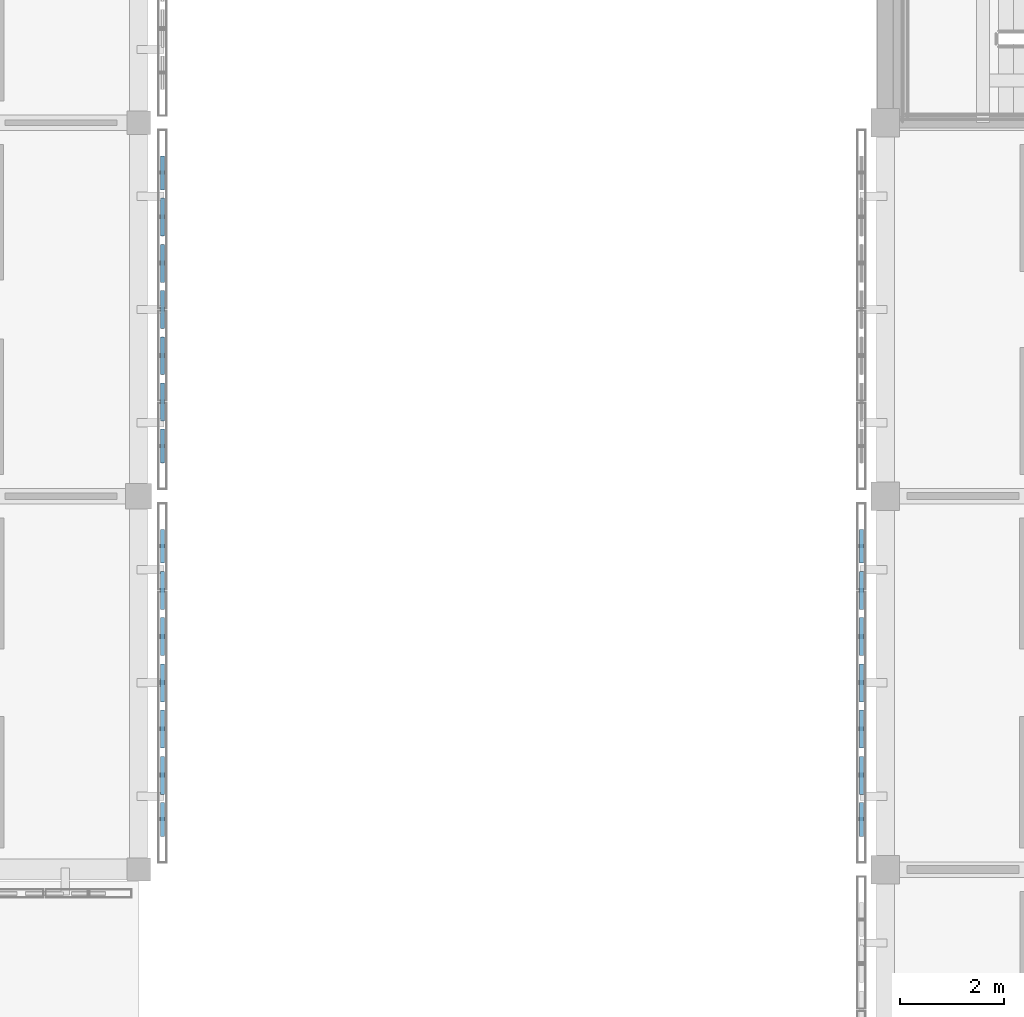
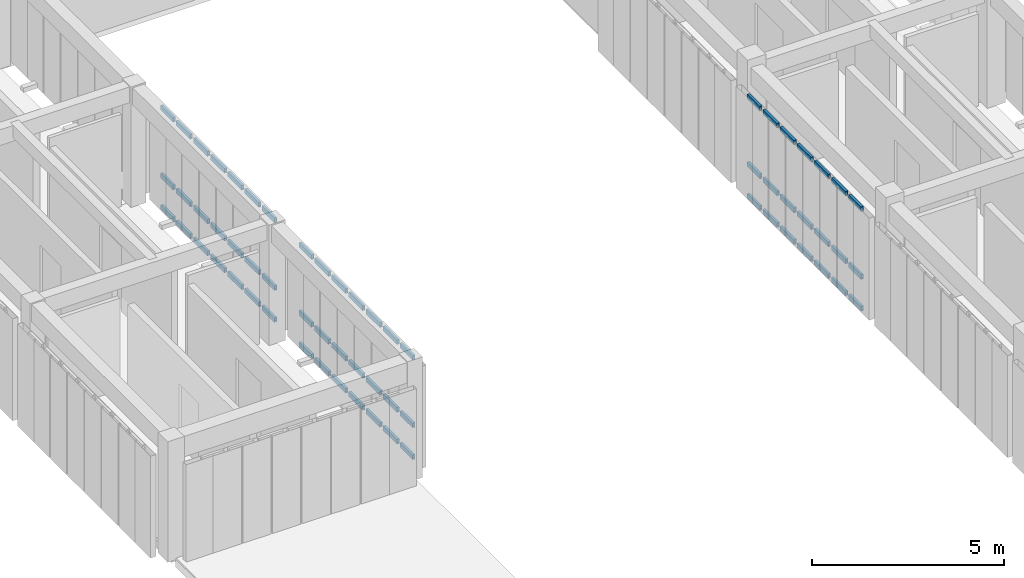
# One storey, part 30 of 67: 63 members, 3 elements without a shape of their own.
"""IFC4 building model written with IfcOpenShell, lengths in metres."""

import ifcopenshell
import ifcopenshell.guid

model = None  # the IFC model being written
_history = None  # IfcOwnerHistory: only IFC2X3 demands one
_inside = {}  # id of a spatial element -> (the spatial element, [elements in it])
_under = {}  # id of a project, library or spatial element -> (it, [spatial elements below it])
_declared = {}  # id of a project -> (the project, [libraries it declares])
_typed = {}  # id of a type object -> (the type object, [elements of that type])
_made_of = {}  # id of a material, layer set ... -> (it, [elements and type objects made of it])


def new_model(schema):
    """Start an empty IFC model of exactly this schema.

    Asked for "IFC4X3", IfcOpenShell would pick the latest addendum, in which some entities
    have other attributes; the version numbers below select the first issue.
    IFC2X3 requires an IfcOwnerHistory on every rooted entity: one is made here for all.
    """
    global model, _history
    if schema == "IFC4X3":
        model = ifcopenshell.file(schema_version=(4, 3, 0, 0))
    else:
        model = ifcopenshell.file(schema=schema)
    _inside.clear()
    _under.clear()
    _declared.clear()
    _typed.clear()
    _made_of.clear()
    _history = None
    if model.schema == "IFC2X3":
        org = make("IfcOrganization", Name="unknown")
        user = make(
            "IfcPersonAndOrganization",
            ThePerson=make("IfcPerson", FamilyName="unknown"),
            TheOrganization=org,
        )
        app = make(
            "IfcApplication",
            ApplicationDeveloper=org,
            Version="unknown",
            ApplicationFullName="unknown",
            ApplicationIdentifier="unknown",
        )
        _history = make(
            "IfcOwnerHistory",
            OwningUser=user,
            OwningApplication=app,
            ChangeAction="ADDED",
            CreationDate=0,
        )
    return model


def make(cls, **values):
    """One entity of the class cls with the attributes given. An attribute that is None is left unset."""
    return model.create_entity(
        cls, **{name: value for name, value in values.items() if value is not None}
    )


def rooted(cls, **values):
    """An entity with a GlobalId (a new one), such as an element, a storey or a relation."""
    return make(cls, GlobalId=ifcopenshell.guid.new(), OwnerHistory=_history, **values)


def si_unit(unit_type, name, prefix=None):
    """IfcSIUnit, for example si_unit("LENGTHUNIT", "METRE", prefix="MILLI")."""
    return make("IfcSIUnit", UnitType=unit_type, Prefix=prefix, Name=name)


def assignment(units):
    """IfcUnitAssignment: the units of a project."""
    return None if units is None else make("IfcUnitAssignment", Units=units)


def point(xyz):
    """IfcCartesianPoint."""
    return None if xyz is None else make("IfcCartesianPoint", Coordinates=xyz)


def direction(xyz):
    """IfcDirection."""
    return None if xyz is None else make("IfcDirection", DirectionRatios=xyz)


def frame(location, z_axis=None, x_axis=None):
    """IfcAxis2Placement3D, a coordinate frame: its origin and axes. An axis left out is left unset."""
    return make(
        "IfcAxis2Placement3D",
        Location=point(location),
        Axis=direction(z_axis),
        RefDirection=direction(x_axis),
    )


def frame_2d(location, x_axis=None):
    """IfcAxis2Placement2D, a coordinate frame in the plane: its origin and x axis."""
    return make(
        "IfcAxis2Placement2D", Location=point(location), RefDirection=direction(x_axis)
    )


def origin():
    """The frame at (0, 0, 0) with its axes left unset."""
    return frame((0.0, 0.0, 0.0))


def origin_2d():
    """The frame at (0, 0) in the plane with its x axis left unset."""
    return frame_2d((0.0, 0.0))


def place(relative_to, where):
    """IfcLocalPlacement: puts the frame where relative to a parent placement (None: the world)."""
    return make(
        "IfcLocalPlacement", PlacementRelTo=relative_to, RelativePlacement=where
    )


def context(
    kind, dimensions, precision=None, world=None, true_north=None, identifier=None
):
    """IfcGeometricRepresentationContext, for example the 3D "Model" context."""
    return make(
        "IfcGeometricRepresentationContext",
        ContextIdentifier=identifier,
        ContextType=kind,
        CoordinateSpaceDimension=dimensions,
        Precision=precision,
        WorldCoordinateSystem=world,
        TrueNorth=true_north,
    )


def subcontext(parent, identifier, kind, view, scale=None):
    """IfcGeometricRepresentationSubContext, for example "Body" below "Model"."""
    return make(
        "IfcGeometricRepresentationSubContext",
        ContextIdentifier=identifier,
        ContextType=kind,
        ParentContext=parent,
        TargetScale=scale,
        TargetView=view,
    )


def project(units=None, contexts=None):
    """IfcProject with its units and contexts."""
    return rooted(
        "IfcProject",
        Name="project",
        RepresentationContexts=contexts,
        UnitsInContext=assignment(units),
    )


def spatial(cls, under=None, at=None, **own):
    """A site, building, storey or space (cls), placed at a placement, below another one or the project."""
    s = rooted(cls, ObjectPlacement=at, **own)
    if under is not None:
        _under.setdefault(under.id(), (under, []))[1].append(s)
    return s


def profile(cls, at=None, kind="AREA", **sizes):
    """A parametric profile (cls). Its sizes go by their IFC names, for example OverallWidth=200.0."""
    return make(cls, ProfileType=kind, Position=at, **sizes)


def hollow_rectangle(**sizes):
    """IfcRectangleHollowProfileDef."""
    return profile("IfcRectangleHollowProfileDef", **sizes)


def extrude(swept, where, along, depth):
    """IfcExtrudedAreaSolid: the profile swept, set in the frame where, extruded along a direction by depth."""
    return make(
        "IfcExtrudedAreaSolid",
        SweptArea=swept,
        Position=where,
        ExtrudedDirection=direction(along),
        Depth=depth,
    )


def shape(context_of_items, identifier, shape_type, items):
    """IfcShapeRepresentation: the items that make up one representation, for example the "Body"."""
    return make(
        "IfcShapeRepresentation",
        ContextOfItems=context_of_items,
        RepresentationIdentifier=identifier,
        RepresentationType=shape_type,
        Items=items,
    )


def material(Name=None, Category=None):
    """IfcMaterial."""
    return make("IfcMaterial", Name=Name, Category=Category)


def material_profile(
    of_material, cross_section, Name=None, Category=None, Priority=None
):
    """IfcMaterialProfile: a cross section and its material."""
    return make(
        "IfcMaterialProfile",
        Name=Name,
        Material=of_material,
        Profile=cross_section,
        Priority=Priority,
        Category=Category,
    )


def profile_set(profiles, Name=None, composite=None):
    """IfcMaterialProfileSet."""
    return make(
        "IfcMaterialProfileSet",
        Name=Name,
        MaterialProfiles=profiles,
        CompositeProfile=composite,
    )


def made_of(thing, what):
    """Note that an element or type object is made of a material, layer set ...; save() writes the relation."""
    if what is not None:
        _made_of.setdefault(what.id(), (what, []))[1].append(thing)
    return thing


def type_object(cls, material=None, **own):
    """A type object (cls), such as IfcWallType, which elements share."""
    return made_of(rooted(cls, **own), material)


def element(
    cls,
    number,
    at=None,
    inside=None,
    cuts=None,
    type_object=None,
    material=None,
    context=None,
    identifier="Body",
    shape_type=None,
    held_by="IfcProductDefinitionShape",
    body=None,
    shapes=None,
    **own,
):
    """One element of the class cls, such as IfcWall. Its Tag is "e" and its number.

    at: its placement. inside: the storey or other place that contains it. cuts: it is an
    opening in that element (IfcRelVoidsElement). A single representation is given by context,
    identifier, shape_type and body (its items); several are given by shapes. held_by: the class
    of the entity that holds the representations. save() writes the other relations.
    """
    e = rooted(cls, Tag="e%d" % number, ObjectPlacement=at, **own)
    if body is not None:
        shapes = [shape(context, identifier, shape_type, body)]
    if shapes is not None:
        e.Representation = make(held_by, Representations=shapes)
    if inside is not None:
        _inside.setdefault(inside.id(), (inside, []))[1].append(e)
    if cuts is not None:
        rooted(
            "IfcRelVoidsElement", RelatingBuildingElement=cuts, RelatedOpeningElement=e
        )
    if type_object is not None:
        _typed.setdefault(type_object.id(), (type_object, []))[1].append(e)
    return made_of(e, material)


def aggregate(whole, parts):
    """IfcRelAggregates: a whole, such as a stair, and the parts it consists of."""
    return rooted("IfcRelAggregates", RelatingObject=whole, RelatedObjects=parts)


def save(model, path):
    """Write the relations noted so far, then the file.

    IfcRelAggregates (storeys below a building ...), IfcRelContainedInSpatialStructure (elements
    in a storey), IfcRelDefinesByType, IfcRelAssociatesMaterial and IfcRelDeclares: one each for
    every whole, place, type object, material and project.
    """
    for whole, parts in _under.values():
        aggregate(whole, parts)
    for where, things in _inside.values():
        rooted(
            "IfcRelContainedInSpatialStructure",
            RelatedElements=things,
            RelatingStructure=where,
        )
    for kind, things in _typed.values():
        rooted("IfcRelDefinesByType", RelatedObjects=things, RelatingType=kind)
    for what, things in _made_of.values():
        rooted("IfcRelAssociatesMaterial", RelatedObjects=things, RelatingMaterial=what)
    for by, libraries in _declared.values():
        rooted("IfcRelDeclares", RelatingContext=by, RelatedDefinitions=libraries)
    model.write(path)


model = new_model("IFC4")

# Units and contexts
model_context = context("Model", 3, precision=1e-05, world=origin(), true_north=direction((0.0, 1.0)))
body_context = subcontext(model_context, "Body", "Model", "MODEL_VIEW")
ifc_project = project(units=[si_unit("LENGTHUNIT", "METRE"), si_unit("AREAUNIT", "SQUARE_METRE"), si_unit("VOLUMEUNIT", "CUBIC_METRE"), si_unit("PLANEANGLEUNIT", "RADIAN"), si_unit("MASSUNIT", "GRAM", prefix="KILO")], contexts=[model_context])

# Site, building, storey
site_placement = place(None, origin())
site = spatial("IfcSite", under=ifc_project, at=site_placement, CompositionType="ELEMENT")
building_placement = place(site_placement, origin())
building = spatial("IfcBuilding", under=site, at=building_placement, Name="Aldebral Square Health Centre", CompositionType="ELEMENT")
storey_placement = place(building_placement, frame((0.0, 0.0, 13.5)))
storey = spatial("IfcBuildingStorey", under=building, at=storey_placement, Name="L03", CompositionType="ELEMENT", Elevation=13.5)

# Curtain wall, members
ifc_material_1 = material(Name="Aluminium and low-E solar glass", Category="aluminium")
curtain_wall_type = type_object("IfcCurtainWallType", Name="CW-FIN-SYS", PredefinedType="USERDEFINED", material=ifc_material_1)
curtain_wall_1_placement = place(storey_placement, origin())
curtain_wall_1 = element("IfcCurtainWall", 1, at=curtain_wall_1_placement, inside=storey, type_object=curtain_wall_type, Name="L03 V5 finned curtain wall L03-V5-19-11-E", ObjectType="SOLAR_CURTAIN_WALL", PredefinedType="USERDEFINED")
ifc_material_2 = material(Name="Anodised aluminium transom", Category="aluminium")
ifc_material_profile = material_profile(ifc_material_2, hollow_rectangle(XDim=0.074951171875, YDim=0.14990234375, WallThickness=0.00390625, at=origin_2d()), Name="CWT 75x150x4")
ifc_profile_set = profile_set([ifc_material_profile], Name="Anodised aluminium transom")
member_type = type_object("IfcMemberType", Name="CWT-STD", PredefinedType="USERDEFINED", material=ifc_profile_set)
member_1_placement = place(storey_placement, frame((144.4599609375, 79.840087890625, 0.03759765625), z_axis=(0.0, 1.0, 0.0), x_axis=(-1.0, 0.0, 0.0)))
member_1 = element("IfcMember", 2, at=member_1_placement, type_object=member_type, Name="CW1 transom 1.1", ObjectType="TRANSOM", PredefinedType="USERDEFINED", context=body_context, shape_type="SweptSolid", body=[
    extrude(hollow_rectangle(XDim=0.074951171875, YDim=0.14990234375, WallThickness=0.00390625, at=origin_2d()), origin(), (0.0, 0.0, 1.0), 0.6513671875),
])
member_2_placement = place(storey_placement, frame((144.4599609375, 79.840087890625, 1.050048828125), z_axis=(0.0, 1.0, 0.0), x_axis=(-1.0, 0.0, 0.0)))
member_2 = element("IfcMember", 3, at=member_2_placement, type_object=member_type, Name="CW1 transom 1.2", ObjectType="TRANSOM", PredefinedType="USERDEFINED", context=body_context, shape_type="SweptSolid", body=[
    extrude(hollow_rectangle(XDim=0.074951171875, YDim=0.14990234375, WallThickness=0.00390625, at=origin_2d()), origin(), (0.0, 0.0, 1.0), 0.6513671875),
])
member_3_placement = place(storey_placement, frame((144.4599609375, 79.840087890625, 3.202392578125), z_axis=(0.0, 1.0, 0.0), x_axis=(-1.0, 0.0, 0.0)))
member_3 = element("IfcMember", 4, at=member_3_placement, type_object=member_type, Name="CW1 transom 1.3", ObjectType="TRANSOM", PredefinedType="USERDEFINED", context=body_context, shape_type="SweptSolid", body=[
    extrude(hollow_rectangle(XDim=0.074951171875, YDim=0.14990234375, WallThickness=0.00390625, at=origin_2d()), origin(), (0.0, 0.0, 1.0), 0.6513671875),
])
member_4_placement = place(storey_placement, frame((144.4599609375, 80.6513671875, 0.03759765625), z_axis=(0.0, 1.0, 0.0), x_axis=(-1.0, 0.0, 0.0)))
member_4 = element("IfcMember", 5, at=member_4_placement, type_object=member_type, Name="CW1 transom 2.1", ObjectType="TRANSOM", PredefinedType="USERDEFINED", context=body_context, shape_type="SweptSolid", body=[
    extrude(hollow_rectangle(XDim=0.074951171875, YDim=0.14990234375, WallThickness=0.00390625, at=origin_2d()), origin(), (0.0, 0.0, 1.0), 0.7314453125),
])
member_5_placement = place(storey_placement, frame((144.4599609375, 80.6513671875, 1.050048828125), z_axis=(0.0, 1.0, 0.0), x_axis=(-1.0, 0.0, 0.0)))
member_5 = element("IfcMember", 6, at=member_5_placement, type_object=member_type, Name="CW1 transom 2.2", ObjectType="TRANSOM", PredefinedType="USERDEFINED", context=body_context, shape_type="SweptSolid", body=[
    extrude(hollow_rectangle(XDim=0.074951171875, YDim=0.14990234375, WallThickness=0.00390625, at=origin_2d()), origin(), (0.0, 0.0, 1.0), 0.7314453125),
])
member_6_placement = place(storey_placement, frame((144.4599609375, 80.6513671875, 3.202392578125), z_axis=(0.0, 1.0, 0.0), x_axis=(-1.0, 0.0, 0.0)))
member_6 = element("IfcMember", 7, at=member_6_placement, type_object=member_type, Name="CW1 transom 2.3", ObjectType="TRANSOM", PredefinedType="USERDEFINED", context=body_context, shape_type="SweptSolid", body=[
    extrude(hollow_rectangle(XDim=0.074951171875, YDim=0.14990234375, WallThickness=0.00390625, at=origin_2d()), origin(), (0.0, 0.0, 1.0), 0.7314453125),
])
member_7_placement = place(storey_placement, frame((144.4599609375, 81.54296875, 0.03759765625), z_axis=(0.0, 1.0, 0.0), x_axis=(-1.0, 0.0, 0.0)))
member_7 = element("IfcMember", 8, at=member_7_placement, type_object=member_type, Name="CW1 transom 3.1", ObjectType="TRANSOM", PredefinedType="USERDEFINED", context=body_context, shape_type="SweptSolid", body=[
    extrude(hollow_rectangle(XDim=0.074951171875, YDim=0.14990234375, WallThickness=0.00390625, at=origin_2d()), origin(), (0.0, 0.0, 1.0), 0.731201171875),
])
member_8_placement = place(storey_placement, frame((144.4599609375, 81.54296875, 1.050048828125), z_axis=(0.0, 1.0, 0.0), x_axis=(-1.0, 0.0, 0.0)))
member_8 = element("IfcMember", 9, at=member_8_placement, type_object=member_type, Name="CW1 transom 3.2", ObjectType="TRANSOM", PredefinedType="USERDEFINED", context=body_context, shape_type="SweptSolid", body=[
    extrude(hollow_rectangle(XDim=0.074951171875, YDim=0.14990234375, WallThickness=0.00390625, at=origin_2d()), origin(), (0.0, 0.0, 1.0), 0.731201171875),
])
member_9_placement = place(storey_placement, frame((144.4599609375, 81.54296875, 3.202392578125), z_axis=(0.0, 1.0, 0.0), x_axis=(-1.0, 0.0, 0.0)))
member_9 = element("IfcMember", 10, at=member_9_placement, type_object=member_type, Name="CW1 transom 3.3", ObjectType="TRANSOM", PredefinedType="USERDEFINED", context=body_context, shape_type="SweptSolid", body=[
    extrude(hollow_rectangle(XDim=0.074951171875, YDim=0.14990234375, WallThickness=0.00390625, at=origin_2d()), origin(), (0.0, 0.0, 1.0), 0.731201171875),
])
member_10_placement = place(storey_placement, frame((144.4599609375, 82.434326171875, 0.03759765625), z_axis=(0.0, 1.0, 0.0), x_axis=(-1.0, 0.0, 0.0)))
member_10 = element("IfcMember", 11, at=member_10_placement, type_object=member_type, Name="CW1 transom 4.1", ObjectType="TRANSOM", PredefinedType="USERDEFINED", context=body_context, shape_type="SweptSolid", body=[
    extrude(hollow_rectangle(XDim=0.074951171875, YDim=0.14990234375, WallThickness=0.00390625, at=origin_2d()), origin(), (0.0, 0.0, 1.0), 0.7314453125),
])
member_11_placement = place(storey_placement, frame((144.4599609375, 82.434326171875, 1.050048828125), z_axis=(0.0, 1.0, 0.0), x_axis=(-1.0, 0.0, 0.0)))
member_11 = element("IfcMember", 12, at=member_11_placement, type_object=member_type, Name="CW1 transom 4.2", ObjectType="TRANSOM", PredefinedType="USERDEFINED", context=body_context, shape_type="SweptSolid", body=[
    extrude(hollow_rectangle(XDim=0.074951171875, YDim=0.14990234375, WallThickness=0.00390625, at=origin_2d()), origin(), (0.0, 0.0, 1.0), 0.7314453125),
])
member_12_placement = place(storey_placement, frame((144.4599609375, 82.434326171875, 3.202392578125), z_axis=(0.0, 1.0, 0.0), x_axis=(-1.0, 0.0, 0.0)))
member_12 = element("IfcMember", 13, at=member_12_placement, type_object=member_type, Name="CW1 transom 4.3", ObjectType="TRANSOM", PredefinedType="USERDEFINED", context=body_context, shape_type="SweptSolid", body=[
    extrude(hollow_rectangle(XDim=0.074951171875, YDim=0.14990234375, WallThickness=0.00390625, at=origin_2d()), origin(), (0.0, 0.0, 1.0), 0.7314453125),
])
member_13_placement = place(storey_placement, frame((144.4599609375, 83.32568359375, 0.03759765625), z_axis=(0.0, 1.0, 0.0), x_axis=(-1.0, 0.0, 0.0)))
member_13 = element("IfcMember", 14, at=member_13_placement, type_object=member_type, Name="CW1 transom 5.1", ObjectType="TRANSOM", PredefinedType="USERDEFINED", context=body_context, shape_type="SweptSolid", body=[
    extrude(hollow_rectangle(XDim=0.074951171875, YDim=0.14990234375, WallThickness=0.00390625, at=origin_2d()), origin(), (0.0, 0.0, 1.0), 0.7314453125),
])
member_14_placement = place(storey_placement, frame((144.4599609375, 83.32568359375, 1.050048828125), z_axis=(0.0, 1.0, 0.0), x_axis=(-1.0, 0.0, 0.0)))
member_14 = element("IfcMember", 15, at=member_14_placement, type_object=member_type, Name="CW1 transom 5.2", ObjectType="TRANSOM", PredefinedType="USERDEFINED", context=body_context, shape_type="SweptSolid", body=[
    extrude(hollow_rectangle(XDim=0.074951171875, YDim=0.14990234375, WallThickness=0.00390625, at=origin_2d()), origin(), (0.0, 0.0, 1.0), 0.7314453125),
])
member_15_placement = place(storey_placement, frame((144.4599609375, 83.32568359375, 3.202392578125), z_axis=(0.0, 1.0, 0.0), x_axis=(-1.0, 0.0, 0.0)))
member_15 = element("IfcMember", 16, at=member_15_placement, type_object=member_type, Name="CW1 transom 5.3", ObjectType="TRANSOM", PredefinedType="USERDEFINED", context=body_context, shape_type="SweptSolid", body=[
    extrude(hollow_rectangle(XDim=0.074951171875, YDim=0.14990234375, WallThickness=0.00390625, at=origin_2d()), origin(), (0.0, 0.0, 1.0), 0.7314453125),
])
member_16_placement = place(storey_placement, frame((144.4599609375, 84.217041015625, 0.03759765625), z_axis=(0.0, 1.0, 0.0), x_axis=(-1.0, 0.0, 0.0)))
member_16 = element("IfcMember", 17, at=member_16_placement, type_object=member_type, Name="CW1 transom 6.1", ObjectType="TRANSOM", PredefinedType="USERDEFINED", context=body_context, shape_type="SweptSolid", body=[
    extrude(hollow_rectangle(XDim=0.074951171875, YDim=0.14990234375, WallThickness=0.00390625, at=origin_2d()), origin(), (0.0, 0.0, 1.0), 0.7314453125),
])
member_17_placement = place(storey_placement, frame((144.4599609375, 84.217041015625, 1.050048828125), z_axis=(0.0, 1.0, 0.0), x_axis=(-1.0, 0.0, 0.0)))
member_17 = element("IfcMember", 18, at=member_17_placement, type_object=member_type, Name="CW1 transom 6.2", ObjectType="TRANSOM", PredefinedType="USERDEFINED", context=body_context, shape_type="SweptSolid", body=[
    extrude(hollow_rectangle(XDim=0.074951171875, YDim=0.14990234375, WallThickness=0.00390625, at=origin_2d()), origin(), (0.0, 0.0, 1.0), 0.7314453125),
])
member_18_placement = place(storey_placement, frame((144.4599609375, 84.217041015625, 3.202392578125), z_axis=(0.0, 1.0, 0.0), x_axis=(-1.0, 0.0, 0.0)))
member_18 = element("IfcMember", 19, at=member_18_placement, type_object=member_type, Name="CW1 transom 6.3", ObjectType="TRANSOM", PredefinedType="USERDEFINED", context=body_context, shape_type="SweptSolid", body=[
    extrude(hollow_rectangle(XDim=0.074951171875, YDim=0.14990234375, WallThickness=0.00390625, at=origin_2d()), origin(), (0.0, 0.0, 1.0), 0.7314453125),
])
member_19_placement = place(storey_placement, frame((144.4599609375, 85.108642578125, 0.03759765625), z_axis=(0.0, 1.0, 0.0), x_axis=(-1.0, 0.0, 0.0)))
member_19 = element("IfcMember", 20, at=member_19_placement, type_object=member_type, Name="CW1 transom 7.1", ObjectType="TRANSOM", PredefinedType="USERDEFINED", context=body_context, shape_type="SweptSolid", body=[
    extrude(hollow_rectangle(XDim=0.074951171875, YDim=0.14990234375, WallThickness=0.00390625, at=origin_2d()), origin(), (0.0, 0.0, 1.0), 0.6513671875),
])
member_20_placement = place(storey_placement, frame((144.4599609375, 85.108642578125, 1.050048828125), z_axis=(0.0, 1.0, 0.0), x_axis=(-1.0, 0.0, 0.0)))
member_20 = element("IfcMember", 21, at=member_20_placement, type_object=member_type, Name="CW1 transom 7.2", ObjectType="TRANSOM", PredefinedType="USERDEFINED", context=body_context, shape_type="SweptSolid", body=[
    extrude(hollow_rectangle(XDim=0.074951171875, YDim=0.14990234375, WallThickness=0.00390625, at=origin_2d()), origin(), (0.0, 0.0, 1.0), 0.6513671875),
])
member_21_placement = place(storey_placement, frame((144.4599609375, 85.108642578125, 3.202392578125), z_axis=(0.0, 1.0, 0.0), x_axis=(-1.0, 0.0, 0.0)))
member_21 = element("IfcMember", 22, at=member_21_placement, type_object=member_type, Name="CW1 transom 7.3", ObjectType="TRANSOM", PredefinedType="USERDEFINED", context=body_context, shape_type="SweptSolid", body=[
    extrude(hollow_rectangle(XDim=0.074951171875, YDim=0.14990234375, WallThickness=0.00390625, at=origin_2d()), origin(), (0.0, 0.0, 1.0), 0.6513671875),
])
aggregate(curtain_wall_1, [member_1, member_2, member_3, member_4, member_5, member_6, member_7, member_8, member_9, member_10, member_11, member_12, member_13, member_14, member_15, member_16, member_17, member_18, member_19, member_20, member_21])

curtain_wall_2_placement = place(storey_placement, origin())
curtain_wall_2 = element("IfcCurtainWall", 23, at=curtain_wall_2_placement, inside=storey, type_object=curtain_wall_type, Name="L03 V5 finned curtain wall L03-V5-19-12-E", ObjectType="SOLAR_CURTAIN_WALL", PredefinedType="USERDEFINED")
member_22_placement = place(storey_placement, frame((144.4599609375, 87.0400390625, 0.03759765625), z_axis=(0.0, 1.0, 0.0), x_axis=(-1.0, 0.0, 0.0)))
member_22 = element("IfcMember", 24, at=member_22_placement, type_object=member_type, Name="CW1 transom 1.1", ObjectType="TRANSOM", PredefinedType="USERDEFINED", context=body_context, shape_type="SweptSolid", body=[
    extrude(hollow_rectangle(XDim=0.074951171875, YDim=0.14990234375, WallThickness=0.00390625, at=origin_2d()), origin(), (0.0, 0.0, 1.0), 0.6513671875),
])
member_23_placement = place(storey_placement, frame((144.4599609375, 87.0400390625, 1.050048828125), z_axis=(0.0, 1.0, 0.0), x_axis=(-1.0, 0.0, 0.0)))
member_23 = element("IfcMember", 25, at=member_23_placement, type_object=member_type, Name="CW1 transom 1.2", ObjectType="TRANSOM", PredefinedType="USERDEFINED", context=body_context, shape_type="SweptSolid", body=[
    extrude(hollow_rectangle(XDim=0.074951171875, YDim=0.14990234375, WallThickness=0.00390625, at=origin_2d()), origin(), (0.0, 0.0, 1.0), 0.6513671875),
])
member_24_placement = place(storey_placement, frame((144.4599609375, 87.0400390625, 3.202392578125), z_axis=(0.0, 1.0, 0.0), x_axis=(-1.0, 0.0, 0.0)))
member_24 = element("IfcMember", 26, at=member_24_placement, type_object=member_type, Name="CW1 transom 1.3", ObjectType="TRANSOM", PredefinedType="USERDEFINED", context=body_context, shape_type="SweptSolid", body=[
    extrude(hollow_rectangle(XDim=0.074951171875, YDim=0.14990234375, WallThickness=0.00390625, at=origin_2d()), origin(), (0.0, 0.0, 1.0), 0.6513671875),
])
member_25_placement = place(storey_placement, frame((144.4599609375, 87.851318359375, 0.03759765625), z_axis=(0.0, 1.0, 0.0), x_axis=(-1.0, 0.0, 0.0)))
member_25 = element("IfcMember", 27, at=member_25_placement, type_object=member_type, Name="CW1 transom 2.1", ObjectType="TRANSOM", PredefinedType="USERDEFINED", context=body_context, shape_type="SweptSolid", body=[
    extrude(hollow_rectangle(XDim=0.074951171875, YDim=0.14990234375, WallThickness=0.00390625, at=origin_2d()), origin(), (0.0, 0.0, 1.0), 0.7314453125),
])
member_26_placement = place(storey_placement, frame((144.4599609375, 87.851318359375, 1.050048828125), z_axis=(0.0, 1.0, 0.0), x_axis=(-1.0, 0.0, 0.0)))
member_26 = element("IfcMember", 28, at=member_26_placement, type_object=member_type, Name="CW1 transom 2.2", ObjectType="TRANSOM", PredefinedType="USERDEFINED", context=body_context, shape_type="SweptSolid", body=[
    extrude(hollow_rectangle(XDim=0.074951171875, YDim=0.14990234375, WallThickness=0.00390625, at=origin_2d()), origin(), (0.0, 0.0, 1.0), 0.7314453125),
])
member_27_placement = place(storey_placement, frame((144.4599609375, 87.851318359375, 3.202392578125), z_axis=(0.0, 1.0, 0.0), x_axis=(-1.0, 0.0, 0.0)))
member_27 = element("IfcMember", 29, at=member_27_placement, type_object=member_type, Name="CW1 transom 2.3", ObjectType="TRANSOM", PredefinedType="USERDEFINED", context=body_context, shape_type="SweptSolid", body=[
    extrude(hollow_rectangle(XDim=0.074951171875, YDim=0.14990234375, WallThickness=0.00390625, at=origin_2d()), origin(), (0.0, 0.0, 1.0), 0.7314453125),
])
member_28_placement = place(storey_placement, frame((144.4599609375, 88.742919921875, 0.03759765625), z_axis=(0.0, 1.0, 0.0), x_axis=(-1.0, 0.0, 0.0)))
member_28 = element("IfcMember", 30, at=member_28_placement, type_object=member_type, Name="CW1 transom 3.1", ObjectType="TRANSOM", PredefinedType="USERDEFINED", context=body_context, shape_type="SweptSolid", body=[
    extrude(hollow_rectangle(XDim=0.074951171875, YDim=0.14990234375, WallThickness=0.00390625, at=origin_2d()), origin(), (0.0, 0.0, 1.0), 0.7314453125),
])
member_29_placement = place(storey_placement, frame((144.4599609375, 88.742919921875, 1.050048828125), z_axis=(0.0, 1.0, 0.0), x_axis=(-1.0, 0.0, 0.0)))
member_29 = element("IfcMember", 31, at=member_29_placement, type_object=member_type, Name="CW1 transom 3.2", ObjectType="TRANSOM", PredefinedType="USERDEFINED", context=body_context, shape_type="SweptSolid", body=[
    extrude(hollow_rectangle(XDim=0.074951171875, YDim=0.14990234375, WallThickness=0.00390625, at=origin_2d()), origin(), (0.0, 0.0, 1.0), 0.7314453125),
])
member_30_placement = place(storey_placement, frame((144.4599609375, 88.742919921875, 3.202392578125), z_axis=(0.0, 1.0, 0.0), x_axis=(-1.0, 0.0, 0.0)))
member_30 = element("IfcMember", 32, at=member_30_placement, type_object=member_type, Name="CW1 transom 3.3", ObjectType="TRANSOM", PredefinedType="USERDEFINED", context=body_context, shape_type="SweptSolid", body=[
    extrude(hollow_rectangle(XDim=0.074951171875, YDim=0.14990234375, WallThickness=0.00390625, at=origin_2d()), origin(), (0.0, 0.0, 1.0), 0.7314453125),
])
member_31_placement = place(storey_placement, frame((144.4599609375, 89.63427734375, 0.03759765625), z_axis=(0.0, 1.0, 0.0), x_axis=(-1.0, 0.0, 0.0)))
member_31 = element("IfcMember", 33, at=member_31_placement, type_object=member_type, Name="CW1 transom 4.1", ObjectType="TRANSOM", PredefinedType="USERDEFINED", context=body_context, shape_type="SweptSolid", body=[
    extrude(hollow_rectangle(XDim=0.074951171875, YDim=0.14990234375, WallThickness=0.00390625, at=origin_2d()), origin(), (0.0, 0.0, 1.0), 0.7314453125),
])
member_32_placement = place(storey_placement, frame((144.4599609375, 89.63427734375, 1.050048828125), z_axis=(0.0, 1.0, 0.0), x_axis=(-1.0, 0.0, 0.0)))
member_32 = element("IfcMember", 34, at=member_32_placement, type_object=member_type, Name="CW1 transom 4.2", ObjectType="TRANSOM", PredefinedType="USERDEFINED", context=body_context, shape_type="SweptSolid", body=[
    extrude(hollow_rectangle(XDim=0.074951171875, YDim=0.14990234375, WallThickness=0.00390625, at=origin_2d()), origin(), (0.0, 0.0, 1.0), 0.7314453125),
])
member_33_placement = place(storey_placement, frame((144.4599609375, 89.63427734375, 3.202392578125), z_axis=(0.0, 1.0, 0.0), x_axis=(-1.0, 0.0, 0.0)))
member_33 = element("IfcMember", 35, at=member_33_placement, type_object=member_type, Name="CW1 transom 4.3", ObjectType="TRANSOM", PredefinedType="USERDEFINED", context=body_context, shape_type="SweptSolid", body=[
    extrude(hollow_rectangle(XDim=0.074951171875, YDim=0.14990234375, WallThickness=0.00390625, at=origin_2d()), origin(), (0.0, 0.0, 1.0), 0.7314453125),
])
member_34_placement = place(storey_placement, frame((144.4599609375, 90.525634765625, 0.03759765625), z_axis=(0.0, 1.0, 0.0), x_axis=(-1.0, 0.0, 0.0)))
member_34 = element("IfcMember", 36, at=member_34_placement, type_object=member_type, Name="CW1 transom 5.1", ObjectType="TRANSOM", PredefinedType="USERDEFINED", context=body_context, shape_type="SweptSolid", body=[
    extrude(hollow_rectangle(XDim=0.074951171875, YDim=0.14990234375, WallThickness=0.00390625, at=origin_2d()), origin(), (0.0, 0.0, 1.0), 0.7314453125),
])
member_35_placement = place(storey_placement, frame((144.4599609375, 90.525634765625, 1.050048828125), z_axis=(0.0, 1.0, 0.0), x_axis=(-1.0, 0.0, 0.0)))
member_35 = element("IfcMember", 37, at=member_35_placement, type_object=member_type, Name="CW1 transom 5.2", ObjectType="TRANSOM", PredefinedType="USERDEFINED", context=body_context, shape_type="SweptSolid", body=[
    extrude(hollow_rectangle(XDim=0.074951171875, YDim=0.14990234375, WallThickness=0.00390625, at=origin_2d()), origin(), (0.0, 0.0, 1.0), 0.7314453125),
])
member_36_placement = place(storey_placement, frame((144.4599609375, 90.525634765625, 3.202392578125), z_axis=(0.0, 1.0, 0.0), x_axis=(-1.0, 0.0, 0.0)))
member_36 = element("IfcMember", 38, at=member_36_placement, type_object=member_type, Name="CW1 transom 5.3", ObjectType="TRANSOM", PredefinedType="USERDEFINED", context=body_context, shape_type="SweptSolid", body=[
    extrude(hollow_rectangle(XDim=0.074951171875, YDim=0.14990234375, WallThickness=0.00390625, at=origin_2d()), origin(), (0.0, 0.0, 1.0), 0.7314453125),
])
member_37_placement = place(storey_placement, frame((144.4599609375, 91.417236328125, 0.03759765625), z_axis=(0.0, 1.0, 0.0), x_axis=(-1.0, 0.0, 0.0)))
member_37 = element("IfcMember", 39, at=member_37_placement, type_object=member_type, Name="CW1 transom 6.1", ObjectType="TRANSOM", PredefinedType="USERDEFINED", context=body_context, shape_type="SweptSolid", body=[
    extrude(hollow_rectangle(XDim=0.074951171875, YDim=0.14990234375, WallThickness=0.00390625, at=origin_2d()), origin(), (0.0, 0.0, 1.0), 0.7314453125),
])
member_38_placement = place(storey_placement, frame((144.4599609375, 91.417236328125, 1.050048828125), z_axis=(0.0, 1.0, 0.0), x_axis=(-1.0, 0.0, 0.0)))
member_38 = element("IfcMember", 40, at=member_38_placement, type_object=member_type, Name="CW1 transom 6.2", ObjectType="TRANSOM", PredefinedType="USERDEFINED", context=body_context, shape_type="SweptSolid", body=[
    extrude(hollow_rectangle(XDim=0.074951171875, YDim=0.14990234375, WallThickness=0.00390625, at=origin_2d()), origin(), (0.0, 0.0, 1.0), 0.7314453125),
])
member_39_placement = place(storey_placement, frame((144.4599609375, 91.417236328125, 3.202392578125), z_axis=(0.0, 1.0, 0.0), x_axis=(-1.0, 0.0, 0.0)))
member_39 = element("IfcMember", 41, at=member_39_placement, type_object=member_type, Name="CW1 transom 6.3", ObjectType="TRANSOM", PredefinedType="USERDEFINED", context=body_context, shape_type="SweptSolid", body=[
    extrude(hollow_rectangle(XDim=0.074951171875, YDim=0.14990234375, WallThickness=0.00390625, at=origin_2d()), origin(), (0.0, 0.0, 1.0), 0.7314453125),
])
member_40_placement = place(storey_placement, frame((144.4599609375, 92.30859375, 0.03759765625), z_axis=(0.0, 1.0, 0.0), x_axis=(-1.0, 0.0, 0.0)))
member_40 = element("IfcMember", 42, at=member_40_placement, type_object=member_type, Name="CW1 transom 7.1", ObjectType="TRANSOM", PredefinedType="USERDEFINED", context=body_context, shape_type="SweptSolid", body=[
    extrude(hollow_rectangle(XDim=0.074951171875, YDim=0.14990234375, WallThickness=0.00390625, at=origin_2d()), origin(), (0.0, 0.0, 1.0), 0.6513671875),
])
member_41_placement = place(storey_placement, frame((144.4599609375, 92.30859375, 1.050048828125), z_axis=(0.0, 1.0, 0.0), x_axis=(-1.0, 0.0, 0.0)))
member_41 = element("IfcMember", 43, at=member_41_placement, type_object=member_type, Name="CW1 transom 7.2", ObjectType="TRANSOM", PredefinedType="USERDEFINED", context=body_context, shape_type="SweptSolid", body=[
    extrude(hollow_rectangle(XDim=0.074951171875, YDim=0.14990234375, WallThickness=0.00390625, at=origin_2d()), origin(), (0.0, 0.0, 1.0), 0.6513671875),
])
member_42_placement = place(storey_placement, frame((144.4599609375, 92.30859375, 3.202392578125), z_axis=(0.0, 1.0, 0.0), x_axis=(-1.0, 0.0, 0.0)))
member_42 = element("IfcMember", 44, at=member_42_placement, type_object=member_type, Name="CW1 transom 7.3", ObjectType="TRANSOM", PredefinedType="USERDEFINED", context=body_context, shape_type="SweptSolid", body=[
    extrude(hollow_rectangle(XDim=0.074951171875, YDim=0.14990234375, WallThickness=0.00390625, at=origin_2d()), origin(), (0.0, 0.0, 1.0), 0.6513671875),
])
aggregate(curtain_wall_2, [member_22, member_23, member_24, member_25, member_26, member_27, member_28, member_29, member_30, member_31, member_32, member_33, member_34, member_35, member_36, member_37, member_38, member_39, member_40, member_41, member_42])

curtain_wall_3_placement = place(storey_placement, origin())
curtain_wall_3 = element("IfcCurtainWall", 45, at=curtain_wall_3_placement, inside=storey, type_object=curtain_wall_type, Name="L03 V5 finned curtain wall L03-V5-22-11-W", ObjectType="SOLAR_CURTAIN_WALL", PredefinedType="USERDEFINED")
member_43_placement = place(storey_placement, frame((157.93994140625, 85.760009765625, 0.03759765625), z_axis=(0.0, -1.0, 0.0), x_axis=(1.0, 0.0, 0.0)))
member_43 = element("IfcMember", 46, at=member_43_placement, type_object=member_type, Name="CW1 transom 1.1", ObjectType="TRANSOM", PredefinedType="USERDEFINED", context=body_context, shape_type="SweptSolid", body=[
    extrude(hollow_rectangle(XDim=0.074951171875, YDim=0.14990234375, WallThickness=0.00390625, at=origin_2d()), origin(), (0.0, 0.0, 1.0), 0.6513671875),
])
member_44_placement = place(storey_placement, frame((157.93994140625, 85.760009765625, 1.050048828125), z_axis=(0.0, -1.0, 0.0), x_axis=(1.0, 0.0, 0.0)))
member_44 = element("IfcMember", 47, at=member_44_placement, type_object=member_type, Name="CW1 transom 1.2", ObjectType="TRANSOM", PredefinedType="USERDEFINED", context=body_context, shape_type="SweptSolid", body=[
    extrude(hollow_rectangle(XDim=0.074951171875, YDim=0.14990234375, WallThickness=0.00390625, at=origin_2d()), origin(), (0.0, 0.0, 1.0), 0.6513671875),
])
member_45_placement = place(storey_placement, frame((157.93994140625, 85.760009765625, 3.202392578125), z_axis=(0.0, -1.0, 0.0), x_axis=(1.0, 0.0, 0.0)))
member_45 = element("IfcMember", 48, at=member_45_placement, type_object=member_type, Name="CW1 transom 1.3", ObjectType="TRANSOM", PredefinedType="USERDEFINED", context=body_context, shape_type="SweptSolid", body=[
    extrude(hollow_rectangle(XDim=0.074951171875, YDim=0.14990234375, WallThickness=0.00390625, at=origin_2d()), origin(), (0.0, 0.0, 1.0), 0.6513671875),
])
member_46_placement = place(storey_placement, frame((157.93994140625, 84.948486328125, 0.03759765625), z_axis=(0.0, -1.0, 0.0), x_axis=(1.0, 0.0, 0.0)))
member_46 = element("IfcMember", 49, at=member_46_placement, type_object=member_type, Name="CW1 transom 2.1", ObjectType="TRANSOM", PredefinedType="USERDEFINED", context=body_context, shape_type="SweptSolid", body=[
    extrude(hollow_rectangle(XDim=0.074951171875, YDim=0.14990234375, WallThickness=0.00390625, at=origin_2d()), origin(), (0.0, 0.0, 1.0), 0.7314453125),
])
member_47_placement = place(storey_placement, frame((157.93994140625, 84.948486328125, 1.050048828125), z_axis=(0.0, -1.0, 0.0), x_axis=(1.0, 0.0, 0.0)))
member_47 = element("IfcMember", 50, at=member_47_placement, type_object=member_type, Name="CW1 transom 2.2", ObjectType="TRANSOM", PredefinedType="USERDEFINED", context=body_context, shape_type="SweptSolid", body=[
    extrude(hollow_rectangle(XDim=0.074951171875, YDim=0.14990234375, WallThickness=0.00390625, at=origin_2d()), origin(), (0.0, 0.0, 1.0), 0.7314453125),
])
member_48_placement = place(storey_placement, frame((157.93994140625, 84.948486328125, 3.202392578125), z_axis=(0.0, -1.0, 0.0), x_axis=(1.0, 0.0, 0.0)))
member_48 = element("IfcMember", 51, at=member_48_placement, type_object=member_type, Name="CW1 transom 2.3", ObjectType="TRANSOM", PredefinedType="USERDEFINED", context=body_context, shape_type="SweptSolid", body=[
    extrude(hollow_rectangle(XDim=0.074951171875, YDim=0.14990234375, WallThickness=0.00390625, at=origin_2d()), origin(), (0.0, 0.0, 1.0), 0.7314453125),
])
member_49_placement = place(storey_placement, frame((157.93994140625, 84.05712890625, 0.03759765625), z_axis=(0.0, -1.0, 0.0), x_axis=(1.0, 0.0, 0.0)))
member_49 = element("IfcMember", 52, at=member_49_placement, type_object=member_type, Name="CW1 transom 3.1", ObjectType="TRANSOM", PredefinedType="USERDEFINED", context=body_context, shape_type="SweptSolid", body=[
    extrude(hollow_rectangle(XDim=0.074951171875, YDim=0.14990234375, WallThickness=0.00390625, at=origin_2d()), origin(), (0.0, 0.0, 1.0), 0.7314453125),
])
member_50_placement = place(storey_placement, frame((157.93994140625, 84.05712890625, 1.050048828125), z_axis=(0.0, -1.0, 0.0), x_axis=(1.0, 0.0, 0.0)))
member_50 = element("IfcMember", 53, at=member_50_placement, type_object=member_type, Name="CW1 transom 3.2", ObjectType="TRANSOM", PredefinedType="USERDEFINED", context=body_context, shape_type="SweptSolid", body=[
    extrude(hollow_rectangle(XDim=0.074951171875, YDim=0.14990234375, WallThickness=0.00390625, at=origin_2d()), origin(), (0.0, 0.0, 1.0), 0.7314453125),
])
member_51_placement = place(storey_placement, frame((157.93994140625, 84.05712890625, 3.202392578125), z_axis=(0.0, -1.0, 0.0), x_axis=(1.0, 0.0, 0.0)))
member_51 = element("IfcMember", 54, at=member_51_placement, type_object=member_type, Name="CW1 transom 3.3", ObjectType="TRANSOM", PredefinedType="USERDEFINED", context=body_context, shape_type="SweptSolid", body=[
    extrude(hollow_rectangle(XDim=0.074951171875, YDim=0.14990234375, WallThickness=0.00390625, at=origin_2d()), origin(), (0.0, 0.0, 1.0), 0.7314453125),
])
member_52_placement = place(storey_placement, frame((157.93994140625, 83.165771484375, 0.03759765625), z_axis=(0.0, -1.0, 0.0), x_axis=(1.0, 0.0, 0.0)))
member_52 = element("IfcMember", 55, at=member_52_placement, type_object=member_type, Name="CW1 transom 4.1", ObjectType="TRANSOM", PredefinedType="USERDEFINED", context=body_context, shape_type="SweptSolid", body=[
    extrude(hollow_rectangle(XDim=0.074951171875, YDim=0.14990234375, WallThickness=0.00390625, at=origin_2d()), origin(), (0.0, 0.0, 1.0), 0.7314453125),
])
member_53_placement = place(storey_placement, frame((157.93994140625, 83.165771484375, 1.050048828125), z_axis=(0.0, -1.0, 0.0), x_axis=(1.0, 0.0, 0.0)))
member_53 = element("IfcMember", 56, at=member_53_placement, type_object=member_type, Name="CW1 transom 4.2", ObjectType="TRANSOM", PredefinedType="USERDEFINED", context=body_context, shape_type="SweptSolid", body=[
    extrude(hollow_rectangle(XDim=0.074951171875, YDim=0.14990234375, WallThickness=0.00390625, at=origin_2d()), origin(), (0.0, 0.0, 1.0), 0.7314453125),
])
member_54_placement = place(storey_placement, frame((157.93994140625, 83.165771484375, 3.202392578125), z_axis=(0.0, -1.0, 0.0), x_axis=(1.0, 0.0, 0.0)))
member_54 = element("IfcMember", 57, at=member_54_placement, type_object=member_type, Name="CW1 transom 4.3", ObjectType="TRANSOM", PredefinedType="USERDEFINED", context=body_context, shape_type="SweptSolid", body=[
    extrude(hollow_rectangle(XDim=0.074951171875, YDim=0.14990234375, WallThickness=0.00390625, at=origin_2d()), origin(), (0.0, 0.0, 1.0), 0.7314453125),
])
member_55_placement = place(storey_placement, frame((157.93994140625, 82.274169921875, 0.03759765625), z_axis=(0.0, -1.0, 0.0), x_axis=(1.0, 0.0, 0.0)))
member_55 = element("IfcMember", 58, at=member_55_placement, type_object=member_type, Name="CW1 transom 5.1", ObjectType="TRANSOM", PredefinedType="USERDEFINED", context=body_context, shape_type="SweptSolid", body=[
    extrude(hollow_rectangle(XDim=0.074951171875, YDim=0.14990234375, WallThickness=0.00390625, at=origin_2d()), origin(), (0.0, 0.0, 1.0), 0.731201171875),
])
member_56_placement = place(storey_placement, frame((157.93994140625, 82.274169921875, 1.050048828125), z_axis=(0.0, -1.0, 0.0), x_axis=(1.0, 0.0, 0.0)))
member_56 = element("IfcMember", 59, at=member_56_placement, type_object=member_type, Name="CW1 transom 5.2", ObjectType="TRANSOM", PredefinedType="USERDEFINED", context=body_context, shape_type="SweptSolid", body=[
    extrude(hollow_rectangle(XDim=0.074951171875, YDim=0.14990234375, WallThickness=0.00390625, at=origin_2d()), origin(), (0.0, 0.0, 1.0), 0.731201171875),
])
member_57_placement = place(storey_placement, frame((157.93994140625, 82.274169921875, 3.202392578125), z_axis=(0.0, -1.0, 0.0), x_axis=(1.0, 0.0, 0.0)))
member_57 = element("IfcMember", 60, at=member_57_placement, type_object=member_type, Name="CW1 transom 5.3", ObjectType="TRANSOM", PredefinedType="USERDEFINED", context=body_context, shape_type="SweptSolid", body=[
    extrude(hollow_rectangle(XDim=0.074951171875, YDim=0.14990234375, WallThickness=0.00390625, at=origin_2d()), origin(), (0.0, 0.0, 1.0), 0.731201171875),
])
member_58_placement = place(storey_placement, frame((157.93994140625, 81.3828125, 0.03759765625), z_axis=(0.0, -1.0, 0.0), x_axis=(1.0, 0.0, 0.0)))
member_58 = element("IfcMember", 61, at=member_58_placement, type_object=member_type, Name="CW1 transom 6.1", ObjectType="TRANSOM", PredefinedType="USERDEFINED", context=body_context, shape_type="SweptSolid", body=[
    extrude(hollow_rectangle(XDim=0.074951171875, YDim=0.14990234375, WallThickness=0.00390625, at=origin_2d()), origin(), (0.0, 0.0, 1.0), 0.7314453125),
])
member_59_placement = place(storey_placement, frame((157.93994140625, 81.3828125, 1.050048828125), z_axis=(0.0, -1.0, 0.0), x_axis=(1.0, 0.0, 0.0)))
member_59 = element("IfcMember", 62, at=member_59_placement, type_object=member_type, Name="CW1 transom 6.2", ObjectType="TRANSOM", PredefinedType="USERDEFINED", context=body_context, shape_type="SweptSolid", body=[
    extrude(hollow_rectangle(XDim=0.074951171875, YDim=0.14990234375, WallThickness=0.00390625, at=origin_2d()), origin(), (0.0, 0.0, 1.0), 0.7314453125),
])
member_60_placement = place(storey_placement, frame((157.93994140625, 81.3828125, 3.202392578125), z_axis=(0.0, -1.0, 0.0), x_axis=(1.0, 0.0, 0.0)))
member_60 = element("IfcMember", 63, at=member_60_placement, type_object=member_type, Name="CW1 transom 6.3", ObjectType="TRANSOM", PredefinedType="USERDEFINED", context=body_context, shape_type="SweptSolid", body=[
    extrude(hollow_rectangle(XDim=0.074951171875, YDim=0.14990234375, WallThickness=0.00390625, at=origin_2d()), origin(), (0.0, 0.0, 1.0), 0.7314453125),
])
member_61_placement = place(storey_placement, frame((157.93994140625, 80.491455078125, 0.03759765625), z_axis=(0.0, -1.0, 0.0), x_axis=(1.0, 0.0, 0.0)))
member_61 = element("IfcMember", 64, at=member_61_placement, type_object=member_type, Name="CW1 transom 7.1", ObjectType="TRANSOM", PredefinedType="USERDEFINED", context=body_context, shape_type="SweptSolid", body=[
    extrude(hollow_rectangle(XDim=0.074951171875, YDim=0.14990234375, WallThickness=0.00390625, at=origin_2d()), origin(), (0.0, 0.0, 1.0), 0.6513671875),
])
member_62_placement = place(storey_placement, frame((157.93994140625, 80.491455078125, 1.050048828125), z_axis=(0.0, -1.0, 0.0), x_axis=(1.0, 0.0, 0.0)))
member_62 = element("IfcMember", 65, at=member_62_placement, type_object=member_type, Name="CW1 transom 7.2", ObjectType="TRANSOM", PredefinedType="USERDEFINED", context=body_context, shape_type="SweptSolid", body=[
    extrude(hollow_rectangle(XDim=0.074951171875, YDim=0.14990234375, WallThickness=0.00390625, at=origin_2d()), origin(), (0.0, 0.0, 1.0), 0.6513671875),
])
member_63_placement = place(storey_placement, frame((157.93994140625, 80.491455078125, 3.202392578125), z_axis=(0.0, -1.0, 0.0), x_axis=(1.0, 0.0, 0.0)))
member_63 = element("IfcMember", 66, at=member_63_placement, type_object=member_type, Name="CW1 transom 7.3", ObjectType="TRANSOM", PredefinedType="USERDEFINED", context=body_context, shape_type="SweptSolid", body=[
    extrude(hollow_rectangle(XDim=0.074951171875, YDim=0.14990234375, WallThickness=0.00390625, at=origin_2d()), origin(), (0.0, 0.0, 1.0), 0.6513671875),
])
aggregate(curtain_wall_3, [member_43, member_44, member_45, member_46, member_47, member_48, member_49, member_50, member_51, member_52, member_53, member_54, member_55, member_56, member_57, member_58, member_59, member_60, member_61, member_62, member_63])

save(model, "model.ifc")
